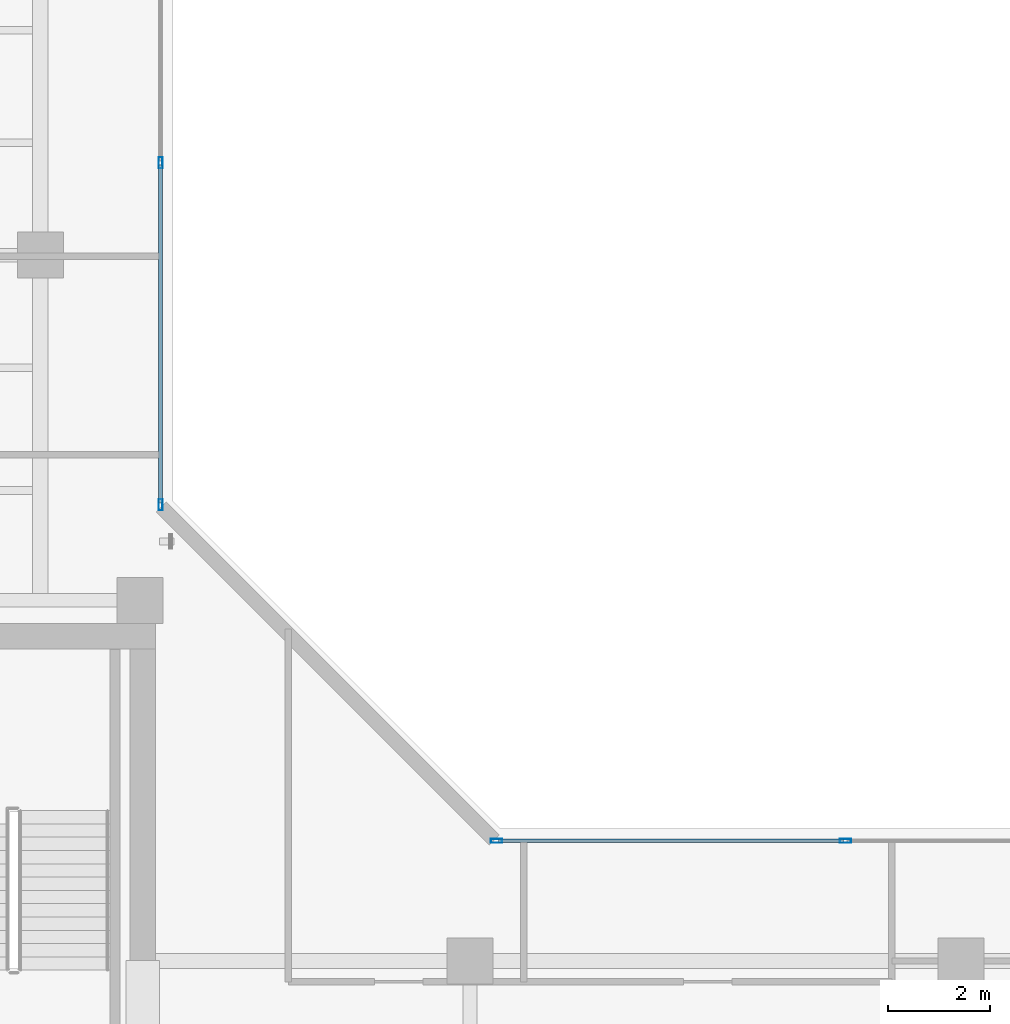
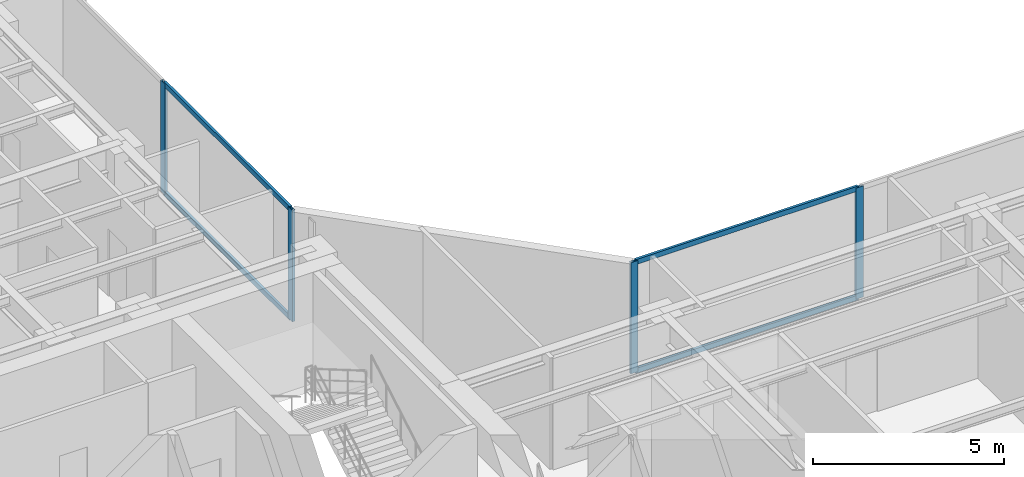
# One storey, part 10 of 22: 8 members, 2 elements without a shape of their own.
"""IFC4 building model written with IfcOpenShell, lengths in metres."""

from ifc_helpers import new_model, si_unit, direction, frame, origin, origin_with_axes, origin_2d, place, context, subcontext, project, spatial, hollow_rectangle, extrude, source, transform, mapped, material, layer, layer_set, material_profile, profile_set, type_object, element, aggregate, save


model = new_model("IFC4")

# Units and contexts
model_context = context("Model", 3, precision=1e-05, world=origin(), true_north=direction((0.0, 1.0)))
body_context = subcontext(model_context, "Body", "Model", "MODEL_VIEW")
ifc_project = project(units=[si_unit("LENGTHUNIT", "METRE"), si_unit("AREAUNIT", "SQUARE_METRE"), si_unit("VOLUMEUNIT", "CUBIC_METRE"), si_unit("PLANEANGLEUNIT", "RADIAN"), si_unit("MASSUNIT", "GRAM", prefix="KILO")], contexts=[model_context])

# Site, building, storey
site_placement = place(None, origin())
site = spatial("IfcSite", under=ifc_project, at=site_placement, CompositionType="ELEMENT")
building_placement = place(site_placement, origin())
building = spatial("IfcBuilding", under=site, at=building_placement, Name="Kolvaren Waterfront Exchange", CompositionType="ELEMENT")
storey_placement = place(building_placement, frame((0.0, 0.0, 266.60009765625)))
storey = spatial("IfcBuildingStorey", under=building, at=storey_placement, Name="L68", CompositionType="ELEMENT", Elevation=266.60009765625)

# Curtain wall, members
ifc_material_1 = material(Name="Anodised bronze aluminium 6063-T6", Category="aluminium")
ifc_layer = layer(ifc_material_1, 0.219970703125, Name="Anodised bronze aluminium 6063-T6")
ifc_layer_set = layer_set([ifc_layer], Name="Anodised bronze aluminium 6063-T6")
curtain_wall_type = type_object("IfcCurtainWallType", Name="ARC-CW-SYS1", PredefinedType="USERDEFINED", material=ifc_layer_set)
curtain_wall_1_placement = place(storey_placement, origin())
curtain_wall_1 = element("IfcCurtainWall", 1, at=curtain_wall_1_placement, inside=storey, type_object=curtain_wall_type, Name="L68 stick curtain wall CW1 (CW-L68-NE)", ObjectType="STICK CURTAIN WALL", PredefinedType="USERDEFINED")
ifc_material_2 = material(Name="Anodised aluminium 6063-T6", Category="aluminium")
ifc_material_profile_1 = material_profile(ifc_material_2, hollow_rectangle(XDim=0.080078125, YDim=0.219970703125, WallThickness=0.0048828125, at=origin_2d()), Name="ALU-MUL-220x80x5")
ifc_profile_set_1 = profile_set([ifc_material_profile_1], Name="Anodised aluminium 6063-T6")
member_type_1 = type_object("IfcMemberType", Name="ARC-CWM-220", PredefinedType="MULLION", material=ifc_profile_set_1)
shared_shape_1 = source(origin_with_axes(), body_context, "Body", "SweptSolid", [
    extrude(hollow_rectangle(XDim=0.080078125, YDim=0.219970703125, WallThickness=0.0048828125, at=origin_2d()), origin(), (0.0, 0.0, 1.0), 3.559814453125),
])
member_1_placement = place(storey_placement, frame((21.1494140625, 26.319580078125, 0.0), z_axis=(0.0, 0.0, 1.0), x_axis=(-1.0, 0.0, 0.0)))
member_1 = element("IfcMember", 2, at=member_1_placement, type_object=member_type_1, Name="CW1 mullion 1", PredefinedType="MULLION", context=body_context, shape_type="MappedRepresentation", body=[
    mapped(shared_shape_1, transform((0.0, 0.0, 0.0), x_axis=(1.0, 0.0, 0.0), y_axis=(0.0, 1.0, 0.0), z_axis=(0.0, 0.0, 1.0), scale=1.0)),
])
member_2_placement = place(storey_placement, frame((21.1494140625, 33.00732421875, 0.0), z_axis=(0.0, 0.0, 1.0), x_axis=(-1.0, 0.0, 0.0)))
member_2 = element("IfcMember", 3, at=member_2_placement, type_object=member_type_1, Name="CW1 mullion 2", PredefinedType="MULLION", context=body_context, shape_type="MappedRepresentation", body=[
    mapped(shared_shape_1, transform((0.0, 0.0, 0.0), x_axis=(1.0, 0.0, 0.0), y_axis=(0.0, 1.0, 0.0), z_axis=(0.0, 0.0, 1.0), scale=1.0)),
])

curtain_wall_2_placement = place(storey_placement, origin())
curtain_wall_2 = element("IfcCurtainWall", 4, at=curtain_wall_2_placement, inside=storey, type_object=curtain_wall_type, Name="L68 stick curtain wall CW1 (CW-L68-EN)", ObjectType="STICK CURTAIN WALL", PredefinedType="USERDEFINED")
member_3_placement = place(storey_placement, frame((27.719482421875, 19.74951171875, 0.0), z_axis=(0.0, 0.0, 1.0), x_axis=(0.0, 1.0, 0.0)))
member_3 = element("IfcMember", 5, at=member_3_placement, type_object=member_type_1, Name="CW1 mullion 1", PredefinedType="MULLION", context=body_context, shape_type="MappedRepresentation", body=[
    mapped(shared_shape_1, transform((0.0, 0.0, 0.0), x_axis=(1.0, 0.0, 0.0), y_axis=(0.0, 1.0, 0.0), z_axis=(0.0, 0.0, 1.0), scale=1.0)),
])
member_4_placement = place(storey_placement, frame((34.540771484375, 19.74951171875, 0.0), z_axis=(0.0, 0.0, 1.0), x_axis=(0.0, 1.0, 0.0)))
member_4 = element("IfcMember", 6, at=member_4_placement, type_object=member_type_1, Name="CW1 mullion 2", PredefinedType="MULLION", context=body_context, shape_type="MappedRepresentation", body=[
    mapped(shared_shape_1, transform((0.0, 0.0, 0.0), x_axis=(1.0, 0.0, 0.0), y_axis=(0.0, 1.0, 0.0), z_axis=(0.0, 0.0, 1.0), scale=1.0)),
])

# Member
ifc_material_profile_2 = material_profile(ifc_material_2, hollow_rectangle(XDim=0.074951171875, YDim=0.159912109375, WallThickness=0.00439453125, at=origin_2d()), Name="ALU-TRN-160x75x4.5")
ifc_profile_set_2 = profile_set([ifc_material_profile_2], Name="Anodised aluminium 6063-T6")
member_type_2 = type_object("IfcMemberType", Name="ARC-CWT-160", PredefinedType="USERDEFINED", material=ifc_profile_set_2)
shared_shape_2 = source(origin_with_axes(), body_context, "Body", "SweptSolid", [
    extrude(hollow_rectangle(XDim=0.074951171875, YDim=0.159912109375, WallThickness=0.00439453125, at=origin_2d()), origin(), (0.0, 0.0, 1.0), 6.607666015625),
])
member_5_placement = place(storey_placement, frame((21.1494140625, 26.359619140625, 0.037353515625), z_axis=(0.0, 1.0, 0.0), x_axis=(-1.0, 0.0, 0.0)))
member_5 = element("IfcMember", 7, at=member_5_placement, type_object=member_type_2, Name="CW1 transom 1.1", ObjectType="TRANSOM", PredefinedType="USERDEFINED", context=body_context, shape_type="MappedRepresentation", body=[
    mapped(shared_shape_2, transform((0.0, 0.0, 0.0), x_axis=(1.0, 0.0, 0.0), y_axis=(0.0, 1.0, 0.0), z_axis=(0.0, 0.0, 1.0), scale=1.0)),
])

member_6_placement = place(storey_placement, frame((21.1494140625, 26.359619140625, 3.5224609375), z_axis=(0.0, 1.0, 0.0), x_axis=(-1.0, 0.0, 0.0)))
member_6 = element("IfcMember", 8, at=member_6_placement, type_object=member_type_2, Name="CW1 transom 1.2", ObjectType="TRANSOM", PredefinedType="USERDEFINED", context=body_context, shape_type="MappedRepresentation", body=[
    mapped(shared_shape_2, transform((0.0, 0.0, 0.0), x_axis=(1.0, 0.0, 0.0), y_axis=(0.0, 1.0, 0.0), z_axis=(0.0, 0.0, 1.0), scale=1.0)),
])

aggregate(curtain_wall_1, [member_1, member_2, member_5, member_6])

shared_shape_3 = source(origin_with_axes(), body_context, "Body", "SweptSolid", [
    extrude(hollow_rectangle(XDim=0.074951171875, YDim=0.159912109375, WallThickness=0.00439453125, at=origin_2d()), origin(), (0.0, 0.0, 1.0), 6.7412109375),
])
member_7_placement = place(storey_placement, frame((27.759521484375, 19.74951171875, 0.037353515625), z_axis=(1.0, 0.0, 0.0), x_axis=(0.0, 1.0, 0.0)))
member_7 = element("IfcMember", 9, at=member_7_placement, type_object=member_type_2, Name="CW1 transom 1.1", ObjectType="TRANSOM", PredefinedType="USERDEFINED", context=body_context, shape_type="MappedRepresentation", body=[
    mapped(shared_shape_3, transform((0.0, 0.0, 0.0), x_axis=(1.0, 0.0, 0.0), y_axis=(0.0, 1.0, 0.0), z_axis=(0.0, 0.0, 1.0), scale=1.0)),
])

member_8_placement = place(storey_placement, frame((27.759521484375, 19.74951171875, 3.5224609375), z_axis=(1.0, 0.0, 0.0), x_axis=(0.0, 1.0, 0.0)))
member_8 = element("IfcMember", 10, at=member_8_placement, type_object=member_type_2, Name="CW1 transom 1.2", ObjectType="TRANSOM", PredefinedType="USERDEFINED", context=body_context, shape_type="MappedRepresentation", body=[
    mapped(shared_shape_3, transform((0.0, 0.0, 0.0), x_axis=(1.0, 0.0, 0.0), y_axis=(0.0, 1.0, 0.0), z_axis=(0.0, 0.0, 1.0), scale=1.0)),
])

aggregate(curtain_wall_2, [member_3, member_4, member_7, member_8])

save(model, "model.ifc")
